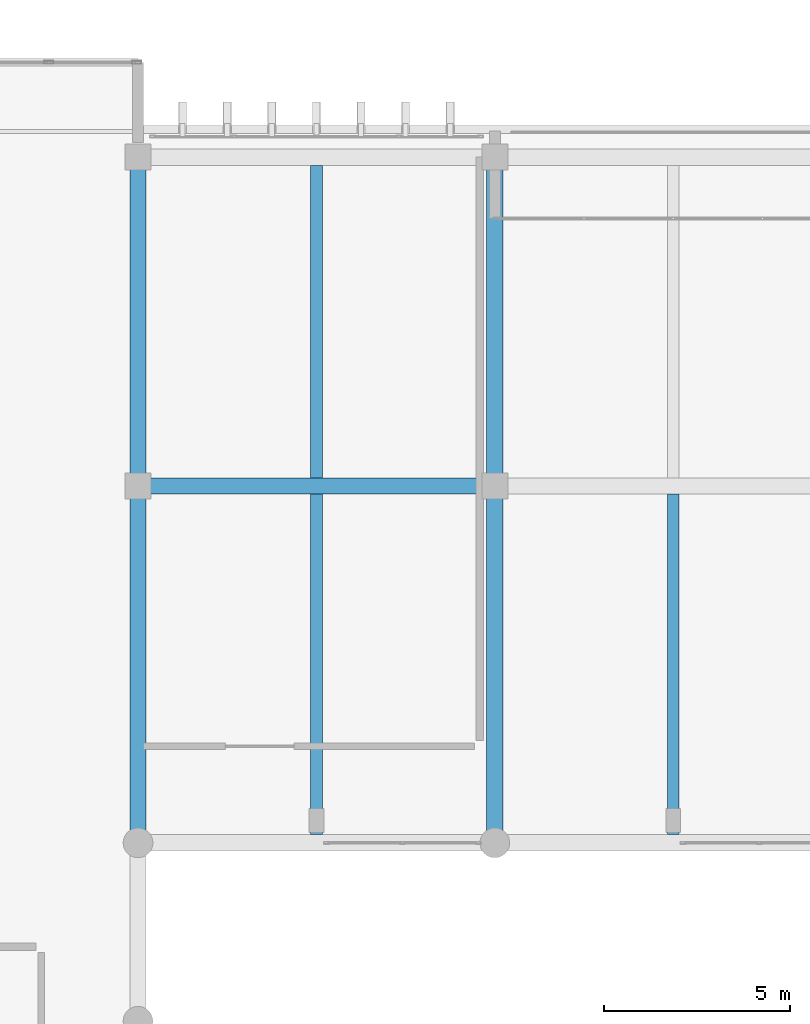
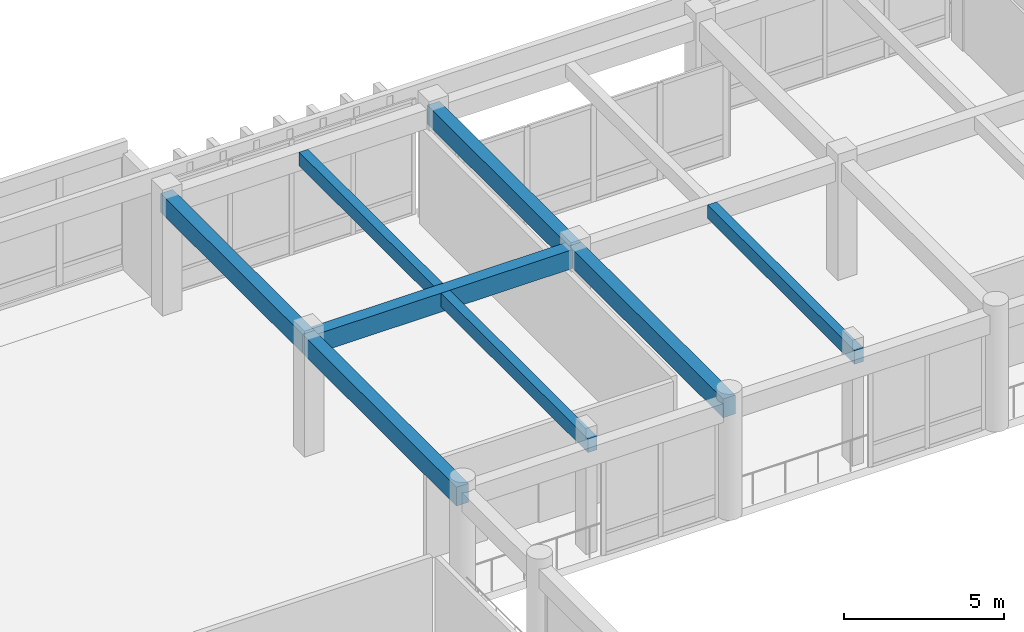
# One storey, part 37 of 133: 8 beams.
"""IFC4 building model written with IfcOpenShell, lengths in metres."""

from ifc_helpers import new_model, si_unit, direction, frame, origin, origin_2d, place, context, subcontext, project, spatial, rectangle, extrude, material, material_profile, profile_set, type_object, element, save


model = new_model("IFC4")

# Units and contexts
model_context = context("Model", 3, precision=1e-05, world=origin(), true_north=direction((0.0, 1.0)))
body_context = subcontext(model_context, "Body", "Model", "MODEL_VIEW")
ifc_project = project(units=[si_unit("LENGTHUNIT", "METRE"), si_unit("AREAUNIT", "SQUARE_METRE"), si_unit("VOLUMEUNIT", "CUBIC_METRE"), si_unit("PLANEANGLEUNIT", "RADIAN"), si_unit("MASSUNIT", "GRAM", prefix="KILO")], contexts=[model_context])

# Site, building, storey
site_placement = place(None, origin())
site = spatial("IfcSite", under=ifc_project, at=site_placement, CompositionType="ELEMENT")
building_placement = place(site_placement, origin())
building = spatial("IfcBuilding", under=site, at=building_placement, Name="Nakhvara Creek Congress Hotel", CompositionType="ELEMENT")
storey_placement = place(building_placement, frame((0.0, 0.0, 11.39990234375)))
storey = spatial("IfcBuildingStorey", under=building, at=storey_placement, Name="L02", CompositionType="ELEMENT", Elevation=11.39990234375)

# Beams
ifc_material = material(Name="Concrete C40/50", Category="concrete")
ifc_material_profile_1 = material_profile(ifc_material, rectangle(XDim=0.320068359375, YDim=0.52001953125, at=origin_2d()), Name="RC-BM 320x520", Category="LoadBearing")
ifc_profile_set_1 = profile_set([ifc_material_profile_1], Name="Concrete C40/50")
beam_type_1 = type_object("IfcBeamType", Name="BM-RC-320X520", PredefinedType="JOIST", material=ifc_profile_set_1)
beam_1_placement = place(storey_placement, frame((81.60009765625, 77.02001953125, 4.16015625), z_axis=(0.0, 1.0, 0.0), x_axis=(-1.0, 0.0, 0.0)))
element("IfcBeam", 1, at=beam_1_placement, inside=storey, type_object=beam_type_1, Name="Secondary Joist BJ2-L02-1670", PredefinedType="JOIST", context=body_context, shape_type="SweptSolid", body=[
    extrude(rectangle(XDim=0.320068359375, YDim=0.52001953125, at=origin_2d()), origin(), (0.0, 0.0, 1.0), 9.159912109375),
])
beam_2_placement = place(storey_placement, frame((81.60009765625, 86.6201171875, 4.16015625), z_axis=(0.0, 1.0, 0.0), x_axis=(-1.0, 0.0, 0.0)))
element("IfcBeam", 2, at=beam_2_placement, inside=storey, type_object=beam_type_1, Name="Secondary Joist BJ2-L02-1671", PredefinedType="JOIST", context=body_context, shape_type="SweptSolid", body=[
    extrude(rectangle(XDim=0.320068359375, YDim=0.52001953125, at=origin_2d()), origin(), (0.0, 0.0, 1.0), 8.409912109375),
])
beam_3_placement = place(storey_placement, frame((91.199951171875, 77.02001953125, 4.16015625), z_axis=(0.0, 1.0, 0.0), x_axis=(-1.0, 0.0, 0.0)))
element("IfcBeam", 3, at=beam_3_placement, inside=storey, type_object=beam_type_1, Name="Secondary Joist BJ2-L02-1674", PredefinedType="JOIST", context=body_context, shape_type="SweptSolid", body=[
    extrude(rectangle(XDim=0.320068359375, YDim=0.52001953125, at=origin_2d()), origin(), (0.0, 0.0, 1.0), 9.159912109375),
])
ifc_material_profile_2 = material_profile(ifc_material, rectangle(XDim=0.43994140625, YDim=0.719970703125, at=origin_2d()), Name="RC-BM 440x720", Category="LoadBearing")
ifc_profile_set_2 = profile_set([ifc_material_profile_2], Name="Concrete C40/50")
beam_type_2 = type_object("IfcBeamType", Name="BM-RC-440X720", PredefinedType="BEAM", material=ifc_profile_set_2)
beam_4_placement = place(storey_placement, frame((76.800048828125, 76.800048828125, 4.06005859375), z_axis=(0.0, 1.0, 0.0), x_axis=(-1.0, 0.0, 0.0)))
element("IfcBeam", 4, at=beam_4_placement, inside=storey, type_object=beam_type_2, Name="Beam B12-L02-1461", PredefinedType="BEAM", context=body_context, shape_type="SweptSolid", body=[
    extrude(rectangle(XDim=0.43994140625, YDim=0.719970703125, at=origin_2d()), origin(), (0.0, 0.0, 1.0), 9.599853515625),
])
beam_5_placement = place(storey_placement, frame((76.800048828125, 86.39990234375, 4.06005859375), z_axis=(0.0, 1.0, 0.0), x_axis=(-1.0, 0.0, 0.0)))
element("IfcBeam", 5, at=beam_5_placement, inside=storey, type_object=beam_type_2, Name="Beam B12-L02-1463", PredefinedType="BEAM", context=body_context, shape_type="SweptSolid", body=[
    extrude(rectangle(XDim=0.43994140625, YDim=0.719970703125, at=origin_2d()), origin(), (0.0, 0.0, 1.0), 8.85009765625),
])
for number, where, z_axis, x_axis, name in (
    (6, (76.800048828125, 86.39990234375, 4.06005859375), (1.0, 0.0, 0.0), (0.0, 1.0, 0.0), "Beam B12-L02-1464"),
    (7, (86.39990234375, 76.800048828125, 4.06005859375), (0.0, 1.0, 0.0), (-1.0, 0.0, 0.0), "Beam B12-L02-1474"),
):
    element("IfcBeam", number, at=place(storey_placement, frame(where, z_axis=z_axis, x_axis=x_axis)), inside=storey, type_object=beam_type_2, Name=name, PredefinedType="BEAM", context=body_context, shape_type="SweptSolid", body=[
        extrude(rectangle(XDim=0.43994140625, YDim=0.719970703125, at=origin_2d()), origin(), (0.0, 0.0, 1.0), 9.599853515625),
    ])
beam_6_placement = place(storey_placement, frame((86.39990234375, 86.39990234375, 4.06005859375), z_axis=(0.0, 1.0, 0.0), x_axis=(-1.0, 0.0, 0.0)))
element("IfcBeam", 8, at=beam_6_placement, inside=storey, type_object=beam_type_2, Name="Beam B12-L02-1476", PredefinedType="BEAM", context=body_context, shape_type="SweptSolid", body=[
    extrude(rectangle(XDim=0.43994140625, YDim=0.719970703125, at=origin_2d()), origin(), (0.0, 0.0, 1.0), 8.85009765625),
])

save(model, "model.ifc")
